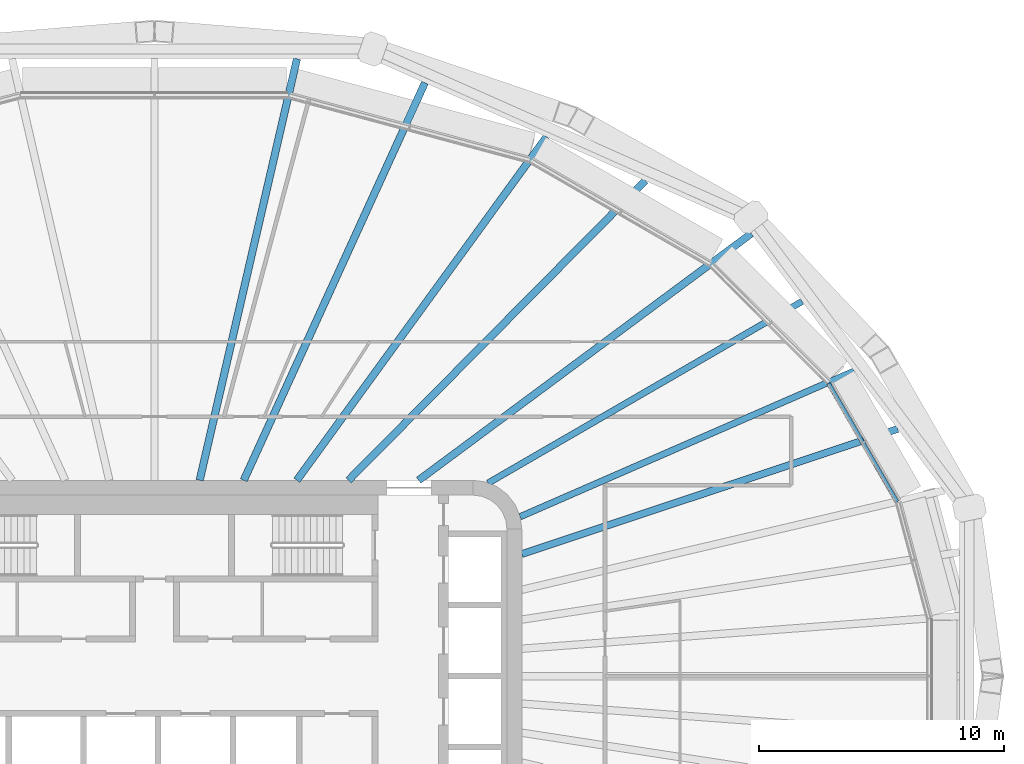
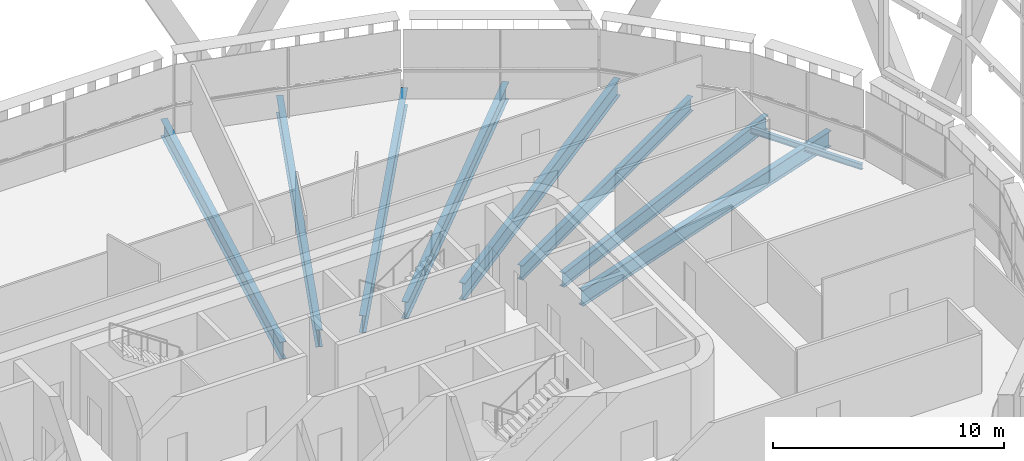
# One storey, part 9 of 26: 9 beams.
"""IFC4 building model written with IfcOpenShell, lengths in metres."""

from ifc_helpers import new_model, si_unit, direction, frame, origin, origin_2d, place, context, subcontext, project, spatial, i_section, extrude, material, material_profile, profile_set, type_object, element, save


model = new_model("IFC4")

# Units and contexts
model_context = context("Model", 3, precision=1e-05, world=origin(), true_north=direction((0.0, 1.0)))
body_context = subcontext(model_context, "Body", "Model", "MODEL_VIEW")
ifc_project = project(units=[si_unit("LENGTHUNIT", "METRE"), si_unit("AREAUNIT", "SQUARE_METRE"), si_unit("VOLUMEUNIT", "CUBIC_METRE"), si_unit("PLANEANGLEUNIT", "RADIAN"), si_unit("MASSUNIT", "GRAM", prefix="KILO")], contexts=[model_context])

# Site, building, storey
site_placement = place(None, origin())
site = spatial("IfcSite", under=ifc_project, at=site_placement, CompositionType="ELEMENT")
building_placement = place(site_placement, origin())
building = spatial("IfcBuilding", under=site, at=building_placement, Name="Sahrelin Media Tower", CompositionType="ELEMENT")
storey_placement = place(building_placement, frame((0.0, 0.0, 131.39990234375)))
storey = spatial("IfcBuildingStorey", under=building, at=storey_placement, Name="L26", CompositionType="ELEMENT", Elevation=131.39990234375)

# Beams
ifc_material = material(Name="Steel S355", Category="steel")
ifc_material_profile_1 = material_profile(ifc_material, i_section(OverallWidth=0.1650390625, OverallDepth=0.303466796875, WebThickness=0.006103515625, FlangeThickness=0.01025390625, FilletRadius=0.0087890625, at=origin_2d()), Name="UB 305x165x40")
ifc_profile_set_1 = profile_set([ifc_material_profile_1], Name="Steel S355")
beam_type_1 = type_object("IfcBeamType", Name="Edge beam EB2", PredefinedType="BEAM", material=ifc_profile_set_1)
beam_1_placement = place(storey_placement, frame((27.52978515625, 11.9482421875, -0.301513671875), z_axis=(0.500014261081, -0.866017169989, 0.0), x_axis=(0.866017169989, 0.500014261081, 0.0)))
element("IfcBeam", 1, at=beam_1_placement, inside=storey, type_object=beam_type_1, Name="Edge beam L26-23", PredefinedType="BEAM", context=body_context, shape_type="SweptSolid", body=[
    extrude(i_section(OverallWidth=0.1650390625, OverallDepth=0.303466796875, WebThickness=0.006103515625, FlangeThickness=0.01025390625, FilletRadius=0.0087890625, at=origin_2d()), origin(), (0.0, 0.0, 1.0), 5.576416015625),
])
ifc_material_profile_2 = material_profile(ifc_material, i_section(OverallWidth=0.30322265625, OverallDepth=0.903076171875, WebThickness=0.01513671875, FlangeThickness=0.020263671875, FilletRadius=0.01904296875, at=origin_2d()), Name="UB 914x305x201")
ifc_profile_set_2 = profile_set([ifc_material_profile_2], Name="Steel S355")
beam_type_2 = type_object("IfcBeamType", Name="Radial primary beam PB11", PredefinedType="BEAM", material=ifc_profile_set_2)
beam_2_placement = place(storey_placement, frame((10.7880859375, 8.0, -0.601318359375), z_axis=(0.803231499459, 0.595666986056, 0.0), x_axis=(-0.595666986056, 0.803231499459, 0.0)))
element("IfcBeam", 2, at=beam_2_placement, inside=storey, type_object=beam_type_2, Name="Radial beam L26-04", PredefinedType="BEAM", context=body_context, shape_type="SweptSolid", body=[
    extrude(i_section(OverallWidth=0.30322265625, OverallDepth=0.903076171875, WebThickness=0.01513671875, FlangeThickness=0.020263671875, FilletRadius=0.01904296875, at=origin_2d()), origin(), (0.0, 0.0, 1.0), 16.910400390625),
])
beam_3_placement = place(storey_placement, frame((5.814453125, 8.0, -0.601318359375), z_axis=(0.587913818186, 0.808923570176, 0.0), x_axis=(-0.808923570176, 0.587913818186, 0.0)))
element("IfcBeam", 3, at=beam_3_placement, inside=storey, type_object=beam_type_2, Name="Radial beam L26-05", PredefinedType="BEAM", context=body_context, shape_type="SweptSolid", body=[
    extrude(i_section(OverallWidth=0.30322265625, OverallDepth=0.903076171875, WebThickness=0.01513671875, FlangeThickness=0.020263671875, FilletRadius=0.01904296875, at=origin_2d()), origin(), (0.0, 0.0, 1.0), 17.33984375),
])
beam_4_placement = place(storey_placement, frame((1.845947265625, 8.0, -0.601318359375), z_axis=(0.22483427695, 0.9743970176, 0.0), x_axis=(-0.9743970176, 0.22483427695, 0.0)))
element("IfcBeam", 4, at=beam_4_placement, inside=storey, type_object=beam_type_2, Name="Radial beam L26-06", PredefinedType="BEAM", context=body_context, shape_type="SweptSolid", body=[
    extrude(i_section(OverallWidth=0.30322265625, OverallDepth=0.903076171875, WebThickness=0.01513671875, FlangeThickness=0.020263671875, FilletRadius=0.01904296875, at=origin_2d()), origin(), (0.0, 0.0, 1.0), 17.668212890625),
])
ifc_material_profile_3 = material_profile(ifc_material, i_section(OverallWidth=0.26513671875, OverallDepth=0.75390625, WebThickness=0.0126953125, FlangeThickness=0.017578125, FilletRadius=0.0166015625, at=origin_2d()), Name="UB 762x267x147")
ifc_profile_set_3 = profile_set([ifc_material_profile_3], Name="Steel S355")
beam_type_3 = type_object("IfcBeamType", Name="Radial primary beam PB9", PredefinedType="BEAM", material=ifc_profile_set_3)
beam_5_placement = place(storey_placement, frame((14.932861328125, 6.510986328125, -0.52685546875), z_axis=(0.916643283171, 0.399706256414, 0.0), x_axis=(-0.399706256414, 0.916643283171, 0.0)))
element("IfcBeam", 5, at=beam_5_placement, inside=storey, type_object=beam_type_3, Name="Radial beam L26-03", PredefinedType="BEAM", context=body_context, shape_type="SweptSolid", body=[
    extrude(i_section(OverallWidth=0.26513671875, OverallDepth=0.75390625, WebThickness=0.0126953125, FlangeThickness=0.017578125, FilletRadius=0.0166015625, at=origin_2d()), origin(), (0.0, 0.0, 1.0), 14.88818359375),
])
ifc_material_profile_4 = material_profile(ifc_material, i_section(OverallWidth=0.291748046875, OverallDepth=0.8349609375, WebThickness=0.013916015625, FlangeThickness=0.018798828125, FilletRadius=0.017822265625, at=origin_2d()), Name="UB 838x292x176")
ifc_profile_set_4 = profile_set([ifc_material_profile_4], Name="Steel S355")
beam_type_4 = type_object("IfcBeamType", Name="Radial secondary beam SB10", PredefinedType="BEAM", material=ifc_profile_set_4)
beam_6_placement = place(storey_placement, frame((15.0, 4.98876953125, -0.5673828125), z_axis=(0.948898825234, 0.315580448491, 0.0), x_axis=(-0.315580448491, 0.948898825234, 0.0)))
element("IfcBeam", 6, at=beam_6_placement, inside=storey, type_object=beam_type_4, Name="Secondary beam L26-02", PredefinedType="BEAM", context=body_context, shape_type="SweptSolid", body=[
    extrude(i_section(OverallWidth=0.291748046875, OverallDepth=0.8349609375, WebThickness=0.013916015625, FlangeThickness=0.018798828125, FilletRadius=0.017822265625, at=origin_2d()), origin(), (0.0, 0.0, 1.0), 16.181884765625),
])
ifc_material_profile_5 = material_profile(ifc_material, i_section(OverallWidth=0.30322265625, OverallDepth=0.903076171875, WebThickness=0.01513671875, FlangeThickness=0.020263671875, FilletRadius=0.01904296875, at=origin_2d()), Name="UB 914x305x201")
ifc_profile_set_5 = profile_set([ifc_material_profile_5], Name="Steel S355")
beam_type_5 = type_object("IfcBeamType", Name="Radial secondary beam SB11", PredefinedType="BEAM", material=ifc_profile_set_5)
beam_7_placement = place(storey_placement, frame((7.923583984375, 8.0, -0.601318359375), z_axis=(0.70370303488, 0.71049422144, 0.0), x_axis=(-0.71049422144, 0.70370303488, 0.0)))
element("IfcBeam", 7, at=beam_7_placement, inside=storey, type_object=beam_type_5, Name="Secondary beam L26-04", PredefinedType="BEAM", context=body_context, shape_type="SweptSolid", body=[
    extrude(i_section(OverallWidth=0.30322265625, OverallDepth=0.903076171875, WebThickness=0.01513671875, FlangeThickness=0.020263671875, FilletRadius=0.01904296875, at=origin_2d()), origin(), (0.0, 0.0, 1.0), 17.219970703125),
])
beam_8_placement = place(storey_placement, frame((3.64599609375, 8.0, -0.601318359375), z_axis=(0.414718365894, 0.909949821138, 0.0), x_axis=(-0.909949821138, 0.414718365894, 0.0)))
element("IfcBeam", 8, at=beam_8_placement, inside=storey, type_object=beam_type_5, Name="Secondary beam L26-05", PredefinedType="BEAM", context=body_context, shape_type="SweptSolid", body=[
    extrude(i_section(OverallWidth=0.30322265625, OverallDepth=0.903076171875, WebThickness=0.01513671875, FlangeThickness=0.020263671875, FilletRadius=0.01904296875, at=origin_2d()), origin(), (0.0, 0.0, 1.0), 17.839111328125),
])
ifc_material_profile_6 = material_profile(ifc_material, i_section(OverallWidth=0.26513671875, OverallDepth=0.75390625, WebThickness=0.0126953125, FlangeThickness=0.017578125, FilletRadius=0.0166015625, at=origin_2d()), Name="UB 762x267x147")
ifc_profile_set_6 = profile_set([ifc_material_profile_6], Name="Steel S355")
beam_type_6 = type_object("IfcBeamType", Name="Radial secondary beam SB9", PredefinedType="BEAM", material=ifc_profile_set_6)
beam_9_placement = place(storey_placement, frame((13.627197265625, 7.886474609375, -0.52685546875), z_axis=(0.865515798986, 0.500881624444, 0.0), x_axis=(-0.500881624444, 0.865515798986, 0.0)))
element("IfcBeam", 9, at=beam_9_placement, inside=storey, type_object=beam_type_6, Name="Secondary beam L26-03", PredefinedType="BEAM", context=body_context, shape_type="SweptSolid", body=[
    extrude(i_section(OverallWidth=0.26513671875, OverallDepth=0.75390625, WebThickness=0.0126953125, FlangeThickness=0.017578125, FilletRadius=0.0166015625, at=origin_2d()), origin(), (0.0, 0.0, 1.0), 14.811767578125),
])

save(model, "model.ifc")
